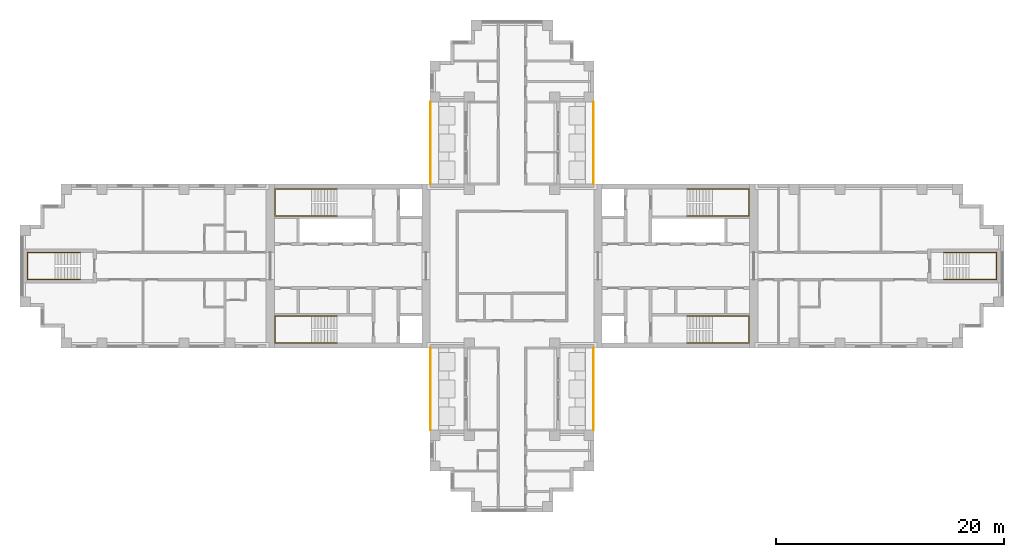
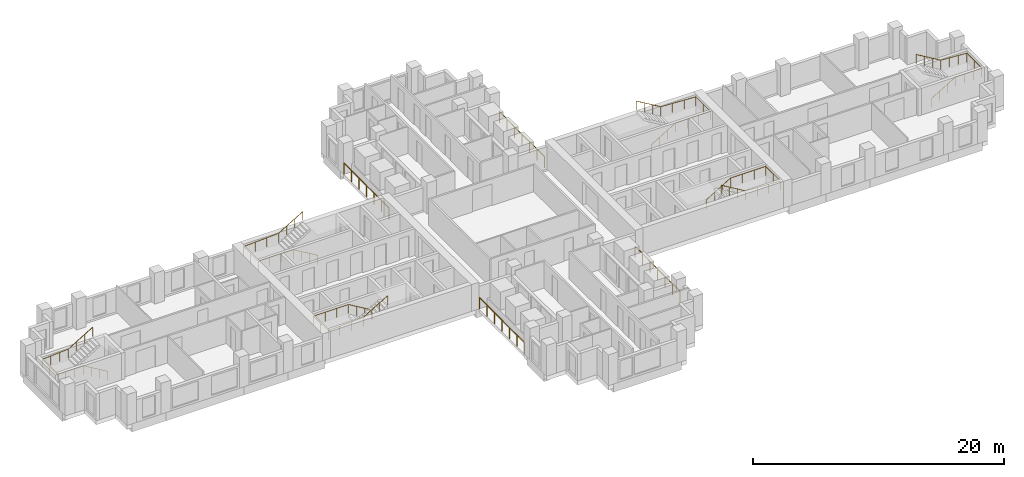
# One storey, part 10 of 11: 10 railings.
"""IFC4 building model written with IfcOpenShell, lengths in metres."""

import ifcopenshell
import ifcopenshell.guid

model = None  # the IFC model being written
_history = None  # IfcOwnerHistory: only IFC2X3 demands one
_inside = {}  # id of a spatial element -> (the spatial element, [elements in it])
_under = {}  # id of a project, library or spatial element -> (it, [spatial elements below it])
_declared = {}  # id of a project -> (the project, [libraries it declares])
_typed = {}  # id of a type object -> (the type object, [elements of that type])
_made_of = {}  # id of a material, layer set ... -> (it, [elements and type objects made of it])


def new_model(schema):
    """Start an empty IFC model of exactly this schema.

    Asked for "IFC4X3", IfcOpenShell would pick the latest addendum, in which some entities
    have other attributes; the version numbers below select the first issue.
    IFC2X3 requires an IfcOwnerHistory on every rooted entity: one is made here for all.
    """
    global model, _history
    if schema == "IFC4X3":
        model = ifcopenshell.file(schema_version=(4, 3, 0, 0))
    else:
        model = ifcopenshell.file(schema=schema)
    _inside.clear()
    _under.clear()
    _declared.clear()
    _typed.clear()
    _made_of.clear()
    _history = None
    if model.schema == "IFC2X3":
        org = make("IfcOrganization", Name="unknown")
        user = make(
            "IfcPersonAndOrganization",
            ThePerson=make("IfcPerson", FamilyName="unknown"),
            TheOrganization=org,
        )
        app = make(
            "IfcApplication",
            ApplicationDeveloper=org,
            Version="unknown",
            ApplicationFullName="unknown",
            ApplicationIdentifier="unknown",
        )
        _history = make(
            "IfcOwnerHistory",
            OwningUser=user,
            OwningApplication=app,
            ChangeAction="ADDED",
            CreationDate=0,
        )
    return model


def make(cls, **values):
    """One entity of the class cls with the attributes given. An attribute that is None is left unset."""
    return model.create_entity(
        cls, **{name: value for name, value in values.items() if value is not None}
    )


def rooted(cls, **values):
    """An entity with a GlobalId (a new one), such as an element, a storey or a relation."""
    return make(cls, GlobalId=ifcopenshell.guid.new(), OwnerHistory=_history, **values)


def si_unit(unit_type, name, prefix=None):
    """IfcSIUnit, for example si_unit("LENGTHUNIT", "METRE", prefix="MILLI")."""
    return make("IfcSIUnit", UnitType=unit_type, Prefix=prefix, Name=name)


def assignment(units):
    """IfcUnitAssignment: the units of a project."""
    return None if units is None else make("IfcUnitAssignment", Units=units)


def point(xyz):
    """IfcCartesianPoint."""
    return None if xyz is None else make("IfcCartesianPoint", Coordinates=xyz)


def direction(xyz):
    """IfcDirection."""
    return None if xyz is None else make("IfcDirection", DirectionRatios=xyz)


def frame(location, z_axis=None, x_axis=None):
    """IfcAxis2Placement3D, a coordinate frame: its origin and axes. An axis left out is left unset."""
    return make(
        "IfcAxis2Placement3D",
        Location=point(location),
        Axis=direction(z_axis),
        RefDirection=direction(x_axis),
    )


def frame_2d(location, x_axis=None):
    """IfcAxis2Placement2D, a coordinate frame in the plane: its origin and x axis."""
    return make(
        "IfcAxis2Placement2D", Location=point(location), RefDirection=direction(x_axis)
    )


def origin():
    """The frame at (0, 0, 0) with its axes left unset."""
    return frame((0.0, 0.0, 0.0))


def origin_2d():
    """The frame at (0, 0) in the plane with its x axis left unset."""
    return frame_2d((0.0, 0.0))


def place(relative_to, where):
    """IfcLocalPlacement: puts the frame where relative to a parent placement (None: the world)."""
    return make(
        "IfcLocalPlacement", PlacementRelTo=relative_to, RelativePlacement=where
    )


def context(
    kind, dimensions, precision=None, world=None, true_north=None, identifier=None
):
    """IfcGeometricRepresentationContext, for example the 3D "Model" context."""
    return make(
        "IfcGeometricRepresentationContext",
        ContextIdentifier=identifier,
        ContextType=kind,
        CoordinateSpaceDimension=dimensions,
        Precision=precision,
        WorldCoordinateSystem=world,
        TrueNorth=true_north,
    )


def subcontext(parent, identifier, kind, view, scale=None):
    """IfcGeometricRepresentationSubContext, for example "Body" below "Model"."""
    return make(
        "IfcGeometricRepresentationSubContext",
        ContextIdentifier=identifier,
        ContextType=kind,
        ParentContext=parent,
        TargetScale=scale,
        TargetView=view,
    )


def project(units=None, contexts=None):
    """IfcProject with its units and contexts."""
    return rooted(
        "IfcProject",
        Name="project",
        RepresentationContexts=contexts,
        UnitsInContext=assignment(units),
    )


def spatial(cls, under=None, at=None, **own):
    """A site, building, storey or space (cls), placed at a placement, below another one or the project."""
    s = rooted(cls, ObjectPlacement=at, **own)
    if under is not None:
        _under.setdefault(under.id(), (under, []))[1].append(s)
    return s


def profile(cls, at=None, kind="AREA", **sizes):
    """A parametric profile (cls). Its sizes go by their IFC names, for example OverallWidth=200.0."""
    return make(cls, ProfileType=kind, Position=at, **sizes)


def circle(**sizes):
    """IfcCircleProfileDef."""
    return profile("IfcCircleProfileDef", **sizes)


def extrude(swept, where, along, depth):
    """IfcExtrudedAreaSolid: the profile swept, set in the frame where, extruded along a direction by depth."""
    return make(
        "IfcExtrudedAreaSolid",
        SweptArea=swept,
        Position=where,
        ExtrudedDirection=direction(along),
        Depth=depth,
    )


def shape(context_of_items, identifier, shape_type, items):
    """IfcShapeRepresentation: the items that make up one representation, for example the "Body"."""
    return make(
        "IfcShapeRepresentation",
        ContextOfItems=context_of_items,
        RepresentationIdentifier=identifier,
        RepresentationType=shape_type,
        Items=items,
    )


def material(Name=None, Category=None):
    """IfcMaterial."""
    return make("IfcMaterial", Name=Name, Category=Category)


def made_of(thing, what):
    """Note that an element or type object is made of a material, layer set ...; save() writes the relation."""
    if what is not None:
        _made_of.setdefault(what.id(), (what, []))[1].append(thing)
    return thing


def type_object(cls, material=None, **own):
    """A type object (cls), such as IfcWallType, which elements share."""
    return made_of(rooted(cls, **own), material)


def element(
    cls,
    number,
    at=None,
    inside=None,
    cuts=None,
    type_object=None,
    material=None,
    context=None,
    identifier="Body",
    shape_type=None,
    held_by="IfcProductDefinitionShape",
    body=None,
    shapes=None,
    **own,
):
    """One element of the class cls, such as IfcWall. Its Tag is "e" and its number.

    at: its placement. inside: the storey or other place that contains it. cuts: it is an
    opening in that element (IfcRelVoidsElement). A single representation is given by context,
    identifier, shape_type and body (its items); several are given by shapes. held_by: the class
    of the entity that holds the representations. save() writes the other relations.
    """
    e = rooted(cls, Tag="e%d" % number, ObjectPlacement=at, **own)
    if body is not None:
        shapes = [shape(context, identifier, shape_type, body)]
    if shapes is not None:
        e.Representation = make(held_by, Representations=shapes)
    if inside is not None:
        _inside.setdefault(inside.id(), (inside, []))[1].append(e)
    if cuts is not None:
        rooted(
            "IfcRelVoidsElement", RelatingBuildingElement=cuts, RelatedOpeningElement=e
        )
    if type_object is not None:
        _typed.setdefault(type_object.id(), (type_object, []))[1].append(e)
    return made_of(e, material)


def aggregate(whole, parts):
    """IfcRelAggregates: a whole, such as a stair, and the parts it consists of."""
    return rooted("IfcRelAggregates", RelatingObject=whole, RelatedObjects=parts)


def save(model, path):
    """Write the relations noted so far, then the file.

    IfcRelAggregates (storeys below a building ...), IfcRelContainedInSpatialStructure (elements
    in a storey), IfcRelDefinesByType, IfcRelAssociatesMaterial and IfcRelDeclares: one each for
    every whole, place, type object, material and project.
    """
    for whole, parts in _under.values():
        aggregate(whole, parts)
    for where, things in _inside.values():
        rooted(
            "IfcRelContainedInSpatialStructure",
            RelatedElements=things,
            RelatingStructure=where,
        )
    for kind, things in _typed.values():
        rooted("IfcRelDefinesByType", RelatedObjects=things, RelatingType=kind)
    for what, things in _made_of.values():
        rooted("IfcRelAssociatesMaterial", RelatedObjects=things, RelatingMaterial=what)
    for by, libraries in _declared.values():
        rooted("IfcRelDeclares", RelatingContext=by, RelatedDefinitions=libraries)
    model.write(path)


model = new_model("IFC4")

# Units and contexts
model_context = context("Model", 3, precision=1e-05, world=origin(), true_north=direction((0.0, 1.0)))
body_context = subcontext(model_context, "Body", "Model", "MODEL_VIEW")
ifc_project = project(units=[si_unit("LENGTHUNIT", "METRE"), si_unit("AREAUNIT", "SQUARE_METRE"), si_unit("VOLUMEUNIT", "CUBIC_METRE"), si_unit("PLANEANGLEUNIT", "RADIAN"), si_unit("MASSUNIT", "GRAM", prefix="KILO")], contexts=[model_context])

# Site, building, storey
site_placement = place(None, origin())
site = spatial("IfcSite", under=ifc_project, at=site_placement, CompositionType="ELEMENT")
building_placement = place(site_placement, origin())
building = spatial("IfcBuilding", under=site, at=building_placement, Name="Fustian Cross Tower", CompositionType="ELEMENT")
storey_placement = place(building_placement, frame((0.0, 0.0, 126.300048828125)))
storey = spatial("IfcBuildingStorey", under=building, at=storey_placement, Name="L39", CompositionType="ELEMENT", Elevation=126.300048828125)

# Railings
ifc_material_1 = material(Name="Stainless steel and glass", Category="steel")
railing_type_1 = type_object("IfcRailingType", Name="GR1 BALCONY GUARD 1100", PredefinedType="GUARDRAIL", material=ifc_material_1)
for number, where, name in (
    (1, (7.14990234375, 7.199951171875, 0.0), "Balcony guard"),
    (2, (-7.14990234375, 7.199951171875, 0.0), "Balcony guard"),
    (3, (7.14990234375, -14.39990234375, 0.0), "Balcony guard"),
    (4, (-7.14990234375, -14.39990234375, 0.0), "Balcony guard"),
):
    element("IfcRailing", number, at=place(storey_placement, frame(where)), inside=storey, type_object=railing_type_1, Name=name, PredefinedType="GUARDRAIL", context=body_context, shape_type="SweptSolid", body=[
        extrude(circle(Radius=0.02392578125, at=origin_2d()), frame((0.0, 0.0, 1.076171875), z_axis=(0.0, 1.0, 0.0), x_axis=(-1.0, 0.0, 0.0)), (0.0, 0.0, 1.0), 7.199951171875),
        extrude(circle(Radius=0.02099609375, at=origin_2d()), origin(), (0.0, 0.0, 1.0), 1.052001953125),
        extrude(circle(Radius=0.02099609375, at=origin_2d()), frame((0.0, 1.199951171875, 0.0)), (0.0, 0.0, 1.0), 1.052001953125),
        extrude(circle(Radius=0.02099609375, at=origin_2d()), frame((0.0, 2.39990234375, 0.0)), (0.0, 0.0, 1.0), 1.052001953125),
        extrude(circle(Radius=0.02099609375, at=origin_2d()), frame((0.0, 3.60009765625, 0.0)), (0.0, 0.0, 1.0), 1.052001953125),
        extrude(circle(Radius=0.02099609375, at=origin_2d()), frame((0.0, 4.800048828125, 0.0)), (0.0, 0.0, 1.0), 1.052001953125),
        extrude(circle(Radius=0.02099609375, at=origin_2d()), frame((0.0, 6.0, 0.0)), (0.0, 0.0, 1.0), 1.052001953125),
        extrude(circle(Radius=0.02099609375, at=origin_2d()), frame((0.0, 7.199951171875, 0.0)), (0.0, 0.0, 1.0), 1.052001953125),
    ])
ifc_material_2 = material(Name="Stainless steel", Category="steel")
railing_type_2 = type_object("IfcRailingType", Name="STAIR HANDRAIL", PredefinedType="HANDRAIL", material=ifc_material_2)
railing_1_placement = place(storey_placement, frame((15.35009765625, 4.39990234375, 0.16650390625)))
element("IfcRailing", 5, at=railing_1_placement, inside=storey, type_object=railing_type_2, Name="Stair ST1 handrail 1", PredefinedType="HANDRAIL", context=body_context, shape_type="SweptSolid", body=[
    extrude(circle(Radius=0.02490234375, at=origin_2d()), frame((0.0, 0.0, 0.875), z_axis=(0.859264461869, 0.0, 0.511531606619), x_axis=(0.0, 1.0, 0.0)), (0.0, 0.0, 1.0), 2.60693359375),
    extrude(circle(Radius=0.02490234375, at=origin_2d()), frame((2.239990234375, 0.0, 2.20849609375), z_axis=(1.0, 0.0, 0.0), x_axis=(0.0, 1.0, 0.0)), (0.0, 0.0, 1.0), 3.219970703125),
    extrude(circle(Radius=0.02490234375, at=origin_2d()), frame((5.4599609375, 0.0, 2.20849609375), z_axis=(0.0, 1.0, 0.0), x_axis=(-1.0, 0.0, 0.0)), (0.0, 0.0, 1.0), 2.35009765625),
    extrude(circle(Radius=0.02490234375, at=origin_2d()), frame((5.4599609375, 2.35009765625, 2.20849609375), z_axis=(-0.998665725648, 0.0, 0.051640763128), x_axis=(0.0, -1.0, 0.0)), (0.0, 0.0, 1.0), 3.224365234375),
    extrude(circle(Radius=0.02490234375, at=origin_2d()), frame((2.239990234375, 2.35009765625, 2.375), z_axis=(-0.859264461869, 0.0, 0.511531606619), x_axis=(0.0, -1.0, 0.0)), (0.0, 0.0, 1.0), 2.60693359375),
    extrude(circle(Radius=0.02001953125, at=origin_2d()), origin(), (0.0, 0.0, 1.0), 0.849853515625),
    extrude(circle(Radius=0.02001953125, at=origin_2d()), frame((0.74658203125, 0.0, 0.444580078125)), (0.0, 0.0, 1.0), 0.849853515625),
    extrude(circle(Radius=0.02001953125, at=origin_2d()), frame((1.493408203125, 0.0, 0.888916015625)), (0.0, 0.0, 1.0), 0.849853515625),
    extrude(circle(Radius=0.02001953125, at=origin_2d()), frame((2.239990234375, 0.0, 1.33349609375)), (0.0, 0.0, 1.0), 0.849853515625),
    extrude(circle(Radius=0.02001953125, at=origin_2d()), frame((3.313232421875, 0.0, 1.33349609375)), (0.0, 0.0, 1.0), 0.849853515625),
    extrude(circle(Radius=0.02001953125, at=origin_2d()), frame((4.38671875, 0.0, 1.33349609375)), (0.0, 0.0, 1.0), 0.849853515625),
    extrude(circle(Radius=0.02001953125, at=origin_2d()), frame((5.4599609375, 0.0, 1.33349609375)), (0.0, 0.0, 1.0), 0.849853515625),
    extrude(circle(Radius=0.02001953125, at=origin_2d()), frame((5.4599609375, 1.175048828125, 1.33349609375)), (0.0, 0.0, 1.0), 0.849853515625),
    extrude(circle(Radius=0.02001953125, at=origin_2d()), frame((5.4599609375, 2.35009765625, 1.33349609375)), (0.0, 0.0, 1.0), 0.849853515625),
    extrude(circle(Radius=0.02001953125, at=origin_2d()), frame((4.38671875, 2.35009765625, 1.388916015625)), (0.0, 0.0, 1.0), 0.849853515625),
    extrude(circle(Radius=0.02001953125, at=origin_2d()), frame((3.313232421875, 2.35009765625, 1.444580078125)), (0.0, 0.0, 1.0), 0.849853515625),
    extrude(circle(Radius=0.02001953125, at=origin_2d()), frame((2.239990234375, 2.35009765625, 1.5)), (0.0, 0.0, 1.0), 0.849853515625),
    extrude(circle(Radius=0.02001953125, at=origin_2d()), frame((1.493408203125, 2.35009765625, 1.944580078125)), (0.0, 0.0, 1.0), 0.849853515625),
    extrude(circle(Radius=0.02001953125, at=origin_2d()), frame((0.74658203125, 2.35009765625, 2.388916015625)), (0.0, 0.0, 1.0), 0.849853515625),
    extrude(circle(Radius=0.02001953125, at=origin_2d()), frame((0.0, 2.35009765625, 2.83349609375)), (0.0, 0.0, 1.0), 0.849853515625),
])
railing_2_placement = place(storey_placement, frame((15.35009765625, -4.39990234375, 0.16650390625)))
element("IfcRailing", 6, at=railing_2_placement, inside=storey, type_object=railing_type_2, Name="Stair ST2 handrail 1", PredefinedType="HANDRAIL", context=body_context, shape_type="SweptSolid", body=[
    extrude(circle(Radius=0.02490234375, at=origin_2d()), frame((0.0, 0.0, 0.875), z_axis=(0.859264461869, 0.0, 0.511531606619), x_axis=(0.0, 1.0, 0.0)), (0.0, 0.0, 1.0), 2.60693359375),
    extrude(circle(Radius=0.02490234375, at=origin_2d()), frame((2.239990234375, 0.0, 2.20849609375), z_axis=(1.0, 0.0, 0.0), x_axis=(0.0, 1.0, 0.0)), (0.0, 0.0, 1.0), 3.219970703125),
    extrude(circle(Radius=0.02490234375, at=origin_2d()), frame((5.4599609375, 0.0, 2.20849609375), z_axis=(0.0, -1.0, 0.0), x_axis=(1.0, 0.0, 0.0)), (0.0, 0.0, 1.0), 2.35009765625),
    extrude(circle(Radius=0.02490234375, at=origin_2d()), frame((5.4599609375, -2.35009765625, 2.20849609375), z_axis=(-0.998665725648, 0.0, 0.051640763128), x_axis=(0.0, -1.0, 0.0)), (0.0, 0.0, 1.0), 3.224365234375),
    extrude(circle(Radius=0.02490234375, at=origin_2d()), frame((2.239990234375, -2.35009765625, 2.375), z_axis=(-0.859264461869, 0.0, 0.511531606619), x_axis=(0.0, -1.0, 0.0)), (0.0, 0.0, 1.0), 2.60693359375),
    extrude(circle(Radius=0.02001953125, at=origin_2d()), origin(), (0.0, 0.0, 1.0), 0.849853515625),
    extrude(circle(Radius=0.02001953125, at=origin_2d()), frame((0.74658203125, 0.0, 0.444580078125)), (0.0, 0.0, 1.0), 0.849853515625),
    extrude(circle(Radius=0.02001953125, at=origin_2d()), frame((1.493408203125, 0.0, 0.888916015625)), (0.0, 0.0, 1.0), 0.849853515625),
    extrude(circle(Radius=0.02001953125, at=origin_2d()), frame((2.239990234375, 0.0, 1.33349609375)), (0.0, 0.0, 1.0), 0.849853515625),
    extrude(circle(Radius=0.02001953125, at=origin_2d()), frame((3.313232421875, 0.0, 1.33349609375)), (0.0, 0.0, 1.0), 0.849853515625),
    extrude(circle(Radius=0.02001953125, at=origin_2d()), frame((4.38671875, 0.0, 1.33349609375)), (0.0, 0.0, 1.0), 0.849853515625),
    extrude(circle(Radius=0.02001953125, at=origin_2d()), frame((5.4599609375, 0.0, 1.33349609375)), (0.0, 0.0, 1.0), 0.849853515625),
    extrude(circle(Radius=0.02001953125, at=origin_2d()), frame((5.4599609375, -1.175048828125, 1.33349609375)), (0.0, 0.0, 1.0), 0.849853515625),
    extrude(circle(Radius=0.02001953125, at=origin_2d()), frame((5.4599609375, -2.35009765625, 1.33349609375)), (0.0, 0.0, 1.0), 0.849853515625),
    extrude(circle(Radius=0.02001953125, at=origin_2d()), frame((4.38671875, -2.35009765625, 1.388916015625)), (0.0, 0.0, 1.0), 0.849853515625),
    extrude(circle(Radius=0.02001953125, at=origin_2d()), frame((3.313232421875, -2.35009765625, 1.444580078125)), (0.0, 0.0, 1.0), 0.849853515625),
    extrude(circle(Radius=0.02001953125, at=origin_2d()), frame((2.239990234375, -2.35009765625, 1.5)), (0.0, 0.0, 1.0), 0.849853515625),
    extrude(circle(Radius=0.02001953125, at=origin_2d()), frame((1.493408203125, -2.35009765625, 1.944580078125)), (0.0, 0.0, 1.0), 0.849853515625),
    extrude(circle(Radius=0.02001953125, at=origin_2d()), frame((0.74658203125, -2.35009765625, 2.388916015625)), (0.0, 0.0, 1.0), 0.849853515625),
    extrude(circle(Radius=0.02001953125, at=origin_2d()), frame((0.0, -2.35009765625, 2.83349609375)), (0.0, 0.0, 1.0), 0.849853515625),
])
railing_3_placement = place(storey_placement, frame((-15.35009765625, 4.39990234375, 0.16650390625)))
element("IfcRailing", 7, at=railing_3_placement, inside=storey, type_object=railing_type_2, Name="Stair ST3 handrail 1", PredefinedType="HANDRAIL", context=body_context, shape_type="SweptSolid", body=[
    extrude(circle(Radius=0.02490234375, at=origin_2d()), frame((0.0, 0.0, 0.875), z_axis=(-0.859264461869, 0.0, 0.511531606619), x_axis=(0.0, -1.0, 0.0)), (0.0, 0.0, 1.0), 2.60693359375),
    extrude(circle(Radius=0.02490234375, at=origin_2d()), frame((-2.239990234375, 0.0, 2.20849609375), z_axis=(-1.0, 0.0, 0.0), x_axis=(0.0, -1.0, 0.0)), (0.0, 0.0, 1.0), 3.219970703125),
    extrude(circle(Radius=0.02490234375, at=origin_2d()), frame((-5.4599609375, 0.0, 2.20849609375), z_axis=(0.0, 1.0, 0.0), x_axis=(-1.0, 0.0, 0.0)), (0.0, 0.0, 1.0), 2.35009765625),
    extrude(circle(Radius=0.02490234375, at=origin_2d()), frame((-5.4599609375, 2.35009765625, 2.20849609375), z_axis=(0.998665725648, 0.0, 0.051640763128), x_axis=(0.0, 1.0, 0.0)), (0.0, 0.0, 1.0), 3.224365234375),
    extrude(circle(Radius=0.02490234375, at=origin_2d()), frame((-2.239990234375, 2.35009765625, 2.375), z_axis=(0.859264461869, 0.0, 0.511531606619), x_axis=(0.0, 1.0, 0.0)), (0.0, 0.0, 1.0), 2.60693359375),
    extrude(circle(Radius=0.02001953125, at=origin_2d()), origin(), (0.0, 0.0, 1.0), 0.849853515625),
    extrude(circle(Radius=0.02001953125, at=origin_2d()), frame((-0.74658203125, 0.0, 0.444580078125)), (0.0, 0.0, 1.0), 0.849853515625),
    extrude(circle(Radius=0.02001953125, at=origin_2d()), frame((-1.493408203125, 0.0, 0.888916015625)), (0.0, 0.0, 1.0), 0.849853515625),
    extrude(circle(Radius=0.02001953125, at=origin_2d()), frame((-2.239990234375, 0.0, 1.33349609375)), (0.0, 0.0, 1.0), 0.849853515625),
    extrude(circle(Radius=0.02001953125, at=origin_2d()), frame((-3.313232421875, 0.0, 1.33349609375)), (0.0, 0.0, 1.0), 0.849853515625),
    extrude(circle(Radius=0.02001953125, at=origin_2d()), frame((-4.38671875, 0.0, 1.33349609375)), (0.0, 0.0, 1.0), 0.849853515625),
    extrude(circle(Radius=0.02001953125, at=origin_2d()), frame((-5.4599609375, 0.0, 1.33349609375)), (0.0, 0.0, 1.0), 0.849853515625),
    extrude(circle(Radius=0.02001953125, at=origin_2d()), frame((-5.4599609375, 1.175048828125, 1.33349609375)), (0.0, 0.0, 1.0), 0.849853515625),
    extrude(circle(Radius=0.02001953125, at=origin_2d()), frame((-5.4599609375, 2.35009765625, 1.33349609375)), (0.0, 0.0, 1.0), 0.849853515625),
    extrude(circle(Radius=0.02001953125, at=origin_2d()), frame((-4.38671875, 2.35009765625, 1.388916015625)), (0.0, 0.0, 1.0), 0.849853515625),
    extrude(circle(Radius=0.02001953125, at=origin_2d()), frame((-3.313232421875, 2.35009765625, 1.444580078125)), (0.0, 0.0, 1.0), 0.849853515625),
    extrude(circle(Radius=0.02001953125, at=origin_2d()), frame((-2.239990234375, 2.35009765625, 1.5)), (0.0, 0.0, 1.0), 0.849853515625),
    extrude(circle(Radius=0.02001953125, at=origin_2d()), frame((-1.493408203125, 2.35009765625, 1.944580078125)), (0.0, 0.0, 1.0), 0.849853515625),
    extrude(circle(Radius=0.02001953125, at=origin_2d()), frame((-0.74658203125, 2.35009765625, 2.388916015625)), (0.0, 0.0, 1.0), 0.849853515625),
    extrude(circle(Radius=0.02001953125, at=origin_2d()), frame((0.0, 2.35009765625, 2.83349609375)), (0.0, 0.0, 1.0), 0.849853515625),
])
railing_4_placement = place(storey_placement, frame((-15.35009765625, -4.39990234375, 0.16650390625)))
element("IfcRailing", 8, at=railing_4_placement, inside=storey, type_object=railing_type_2, Name="Stair ST4 handrail 1", PredefinedType="HANDRAIL", context=body_context, shape_type="SweptSolid", body=[
    extrude(circle(Radius=0.02490234375, at=origin_2d()), frame((0.0, 0.0, 0.875), z_axis=(-0.859264461869, 0.0, 0.511531606619), x_axis=(0.0, -1.0, 0.0)), (0.0, 0.0, 1.0), 2.60693359375),
    extrude(circle(Radius=0.02490234375, at=origin_2d()), frame((-2.239990234375, 0.0, 2.20849609375), z_axis=(-1.0, 0.0, 0.0), x_axis=(0.0, -1.0, 0.0)), (0.0, 0.0, 1.0), 3.219970703125),
    extrude(circle(Radius=0.02490234375, at=origin_2d()), frame((-5.4599609375, 0.0, 2.20849609375), z_axis=(0.0, -1.0, 0.0), x_axis=(1.0, 0.0, 0.0)), (0.0, 0.0, 1.0), 2.35009765625),
    extrude(circle(Radius=0.02490234375, at=origin_2d()), frame((-5.4599609375, -2.35009765625, 2.20849609375), z_axis=(0.998665725648, 0.0, 0.051640763128), x_axis=(0.0, 1.0, 0.0)), (0.0, 0.0, 1.0), 3.224365234375),
    extrude(circle(Radius=0.02490234375, at=origin_2d()), frame((-2.239990234375, -2.35009765625, 2.375), z_axis=(0.859264461869, 0.0, 0.511531606619), x_axis=(0.0, 1.0, 0.0)), (0.0, 0.0, 1.0), 2.60693359375),
    extrude(circle(Radius=0.02001953125, at=origin_2d()), origin(), (0.0, 0.0, 1.0), 0.849853515625),
    extrude(circle(Radius=0.02001953125, at=origin_2d()), frame((-0.74658203125, 0.0, 0.444580078125)), (0.0, 0.0, 1.0), 0.849853515625),
    extrude(circle(Radius=0.02001953125, at=origin_2d()), frame((-1.493408203125, 0.0, 0.888916015625)), (0.0, 0.0, 1.0), 0.849853515625),
    extrude(circle(Radius=0.02001953125, at=origin_2d()), frame((-2.239990234375, 0.0, 1.33349609375)), (0.0, 0.0, 1.0), 0.849853515625),
    extrude(circle(Radius=0.02001953125, at=origin_2d()), frame((-3.313232421875, 0.0, 1.33349609375)), (0.0, 0.0, 1.0), 0.849853515625),
    extrude(circle(Radius=0.02001953125, at=origin_2d()), frame((-4.38671875, 0.0, 1.33349609375)), (0.0, 0.0, 1.0), 0.849853515625),
    extrude(circle(Radius=0.02001953125, at=origin_2d()), frame((-5.4599609375, 0.0, 1.33349609375)), (0.0, 0.0, 1.0), 0.849853515625),
    extrude(circle(Radius=0.02001953125, at=origin_2d()), frame((-5.4599609375, -1.175048828125, 1.33349609375)), (0.0, 0.0, 1.0), 0.849853515625),
    extrude(circle(Radius=0.02001953125, at=origin_2d()), frame((-5.4599609375, -2.35009765625, 1.33349609375)), (0.0, 0.0, 1.0), 0.849853515625),
    extrude(circle(Radius=0.02001953125, at=origin_2d()), frame((-4.38671875, -2.35009765625, 1.388916015625)), (0.0, 0.0, 1.0), 0.849853515625),
    extrude(circle(Radius=0.02001953125, at=origin_2d()), frame((-3.313232421875, -2.35009765625, 1.444580078125)), (0.0, 0.0, 1.0), 0.849853515625),
    extrude(circle(Radius=0.02001953125, at=origin_2d()), frame((-2.239990234375, -2.35009765625, 1.5)), (0.0, 0.0, 1.0), 0.849853515625),
    extrude(circle(Radius=0.02001953125, at=origin_2d()), frame((-1.493408203125, -2.35009765625, 1.944580078125)), (0.0, 0.0, 1.0), 0.849853515625),
    extrude(circle(Radius=0.02001953125, at=origin_2d()), frame((-0.74658203125, -2.35009765625, 2.388916015625)), (0.0, 0.0, 1.0), 0.849853515625),
    extrude(circle(Radius=0.02001953125, at=origin_2d()), frame((0.0, -2.35009765625, 2.83349609375)), (0.0, 0.0, 1.0), 0.849853515625),
])
railing_5_placement = place(storey_placement, frame((37.89990234375, -1.199951171875, 0.16650390625)))
element("IfcRailing", 9, at=railing_5_placement, inside=storey, type_object=railing_type_2, Name="Stair ST8 handrail 1", PredefinedType="HANDRAIL", context=body_context, shape_type="SweptSolid", body=[
    extrude(circle(Radius=0.02490234375, at=origin_2d()), frame((0.0, 0.0, 0.875), z_axis=(0.859264461869, 0.0, 0.511531606619), x_axis=(0.0, 1.0, 0.0)), (0.0, 0.0, 1.0), 2.60693359375),
    extrude(circle(Radius=0.02490234375, at=origin_2d()), frame((2.239990234375, 0.0, 2.20849609375), z_axis=(1.0, 0.0, 0.0), x_axis=(0.0, 1.0, 0.0)), (0.0, 0.0, 1.0), 2.420166015625),
    extrude(circle(Radius=0.02490234375, at=origin_2d()), frame((4.66015625, 0.0, 2.20849609375), z_axis=(0.0, 1.0, 0.0), x_axis=(-1.0, 0.0, 0.0)), (0.0, 0.0, 1.0), 2.39990234375),
    extrude(circle(Radius=0.02490234375, at=origin_2d()), frame((4.66015625, 2.39990234375, 2.20849609375), z_axis=(-0.997641748275, 0.0, 0.068636303069), x_axis=(0.0, -1.0, 0.0)), (0.0, 0.0, 1.0), 2.42578125),
    extrude(circle(Radius=0.02490234375, at=origin_2d()), frame((2.239990234375, 2.39990234375, 2.375), z_axis=(-0.859264461869, 0.0, 0.511531606619), x_axis=(0.0, -1.0, 0.0)), (0.0, 0.0, 1.0), 2.60693359375),
    extrude(circle(Radius=0.02001953125, at=origin_2d()), origin(), (0.0, 0.0, 1.0), 0.849853515625),
    extrude(circle(Radius=0.02001953125, at=origin_2d()), frame((0.74658203125, 0.0, 0.444580078125)), (0.0, 0.0, 1.0), 0.849853515625),
    extrude(circle(Radius=0.02001953125, at=origin_2d()), frame((1.493408203125, 0.0, 0.888916015625)), (0.0, 0.0, 1.0), 0.849853515625),
    extrude(circle(Radius=0.02001953125, at=origin_2d()), frame((2.239990234375, 0.0, 1.33349609375)), (0.0, 0.0, 1.0), 0.849853515625),
    extrude(circle(Radius=0.02001953125, at=origin_2d()), frame((3.046630859375, 0.0, 1.33349609375)), (0.0, 0.0, 1.0), 0.849853515625),
    extrude(circle(Radius=0.02001953125, at=origin_2d()), frame((3.853515625, 0.0, 1.33349609375)), (0.0, 0.0, 1.0), 0.849853515625),
    extrude(circle(Radius=0.02001953125, at=origin_2d()), frame((4.66015625, 0.0, 1.33349609375)), (0.0, 0.0, 1.0), 0.849853515625),
    extrude(circle(Radius=0.02001953125, at=origin_2d()), frame((4.66015625, 1.199951171875, 1.33349609375)), (0.0, 0.0, 1.0), 0.849853515625),
    extrude(circle(Radius=0.02001953125, at=origin_2d()), frame((4.66015625, 2.39990234375, 1.33349609375)), (0.0, 0.0, 1.0), 0.849853515625),
    extrude(circle(Radius=0.02001953125, at=origin_2d()), frame((3.853515625, 2.39990234375, 1.388916015625)), (0.0, 0.0, 1.0), 0.849853515625),
    extrude(circle(Radius=0.02001953125, at=origin_2d()), frame((3.046630859375, 2.39990234375, 1.444580078125)), (0.0, 0.0, 1.0), 0.849853515625),
    extrude(circle(Radius=0.02001953125, at=origin_2d()), frame((2.239990234375, 2.39990234375, 1.5)), (0.0, 0.0, 1.0), 0.849853515625),
    extrude(circle(Radius=0.02001953125, at=origin_2d()), frame((1.493408203125, 2.39990234375, 1.944580078125)), (0.0, 0.0, 1.0), 0.849853515625),
    extrude(circle(Radius=0.02001953125, at=origin_2d()), frame((0.74658203125, 2.39990234375, 2.388916015625)), (0.0, 0.0, 1.0), 0.849853515625),
    extrude(circle(Radius=0.02001953125, at=origin_2d()), frame((0.0, 2.39990234375, 2.83349609375)), (0.0, 0.0, 1.0), 0.849853515625),
])
railing_6_placement = place(storey_placement, frame((-37.89990234375, -1.199951171875, 0.16650390625)))
element("IfcRailing", 10, at=railing_6_placement, inside=storey, type_object=railing_type_2, Name="Stair ST9 handrail 1", PredefinedType="HANDRAIL", context=body_context, shape_type="SweptSolid", body=[
    extrude(circle(Radius=0.02490234375, at=origin_2d()), frame((0.0, 0.0, 0.875), z_axis=(-0.859264461869, 0.0, 0.511531606619), x_axis=(0.0, -1.0, 0.0)), (0.0, 0.0, 1.0), 2.60693359375),
    extrude(circle(Radius=0.02490234375, at=origin_2d()), frame((-2.239990234375, 0.0, 2.20849609375), z_axis=(-1.0, 0.0, 0.0), x_axis=(0.0, -1.0, 0.0)), (0.0, 0.0, 1.0), 2.420166015625),
    extrude(circle(Radius=0.02490234375, at=origin_2d()), frame((-4.66015625, 0.0, 2.20849609375), z_axis=(0.0, 1.0, 0.0), x_axis=(-1.0, 0.0, 0.0)), (0.0, 0.0, 1.0), 2.39990234375),
    extrude(circle(Radius=0.02490234375, at=origin_2d()), frame((-4.66015625, 2.39990234375, 2.20849609375), z_axis=(0.997641748275, 0.0, 0.068636303069), x_axis=(0.0, 1.0, 0.0)), (0.0, 0.0, 1.0), 2.42578125),
    extrude(circle(Radius=0.02490234375, at=origin_2d()), frame((-2.239990234375, 2.39990234375, 2.375), z_axis=(0.859264461869, 0.0, 0.511531606619), x_axis=(0.0, 1.0, 0.0)), (0.0, 0.0, 1.0), 2.60693359375),
    extrude(circle(Radius=0.02001953125, at=origin_2d()), origin(), (0.0, 0.0, 1.0), 0.849853515625),
    extrude(circle(Radius=0.02001953125, at=origin_2d()), frame((-0.74658203125, 0.0, 0.444580078125)), (0.0, 0.0, 1.0), 0.849853515625),
    extrude(circle(Radius=0.02001953125, at=origin_2d()), frame((-1.493408203125, 0.0, 0.888916015625)), (0.0, 0.0, 1.0), 0.849853515625),
    extrude(circle(Radius=0.02001953125, at=origin_2d()), frame((-2.239990234375, 0.0, 1.33349609375)), (0.0, 0.0, 1.0), 0.849853515625),
    extrude(circle(Radius=0.02001953125, at=origin_2d()), frame((-3.046630859375, 0.0, 1.33349609375)), (0.0, 0.0, 1.0), 0.849853515625),
    extrude(circle(Radius=0.02001953125, at=origin_2d()), frame((-3.853515625, 0.0, 1.33349609375)), (0.0, 0.0, 1.0), 0.849853515625),
    extrude(circle(Radius=0.02001953125, at=origin_2d()), frame((-4.66015625, 0.0, 1.33349609375)), (0.0, 0.0, 1.0), 0.849853515625),
    extrude(circle(Radius=0.02001953125, at=origin_2d()), frame((-4.66015625, 1.199951171875, 1.33349609375)), (0.0, 0.0, 1.0), 0.849853515625),
    extrude(circle(Radius=0.02001953125, at=origin_2d()), frame((-4.66015625, 2.39990234375, 1.33349609375)), (0.0, 0.0, 1.0), 0.849853515625),
    extrude(circle(Radius=0.02001953125, at=origin_2d()), frame((-3.853515625, 2.39990234375, 1.388916015625)), (0.0, 0.0, 1.0), 0.849853515625),
    extrude(circle(Radius=0.02001953125, at=origin_2d()), frame((-3.046630859375, 2.39990234375, 1.444580078125)), (0.0, 0.0, 1.0), 0.849853515625),
    extrude(circle(Radius=0.02001953125, at=origin_2d()), frame((-2.239990234375, 2.39990234375, 1.5)), (0.0, 0.0, 1.0), 0.849853515625),
    extrude(circle(Radius=0.02001953125, at=origin_2d()), frame((-1.493408203125, 2.39990234375, 1.944580078125)), (0.0, 0.0, 1.0), 0.849853515625),
    extrude(circle(Radius=0.02001953125, at=origin_2d()), frame((-0.74658203125, 2.39990234375, 2.388916015625)), (0.0, 0.0, 1.0), 0.849853515625),
    extrude(circle(Radius=0.02001953125, at=origin_2d()), frame((0.0, 2.39990234375, 2.83349609375)), (0.0, 0.0, 1.0), 0.849853515625),
])

save(model, "model.ifc")
